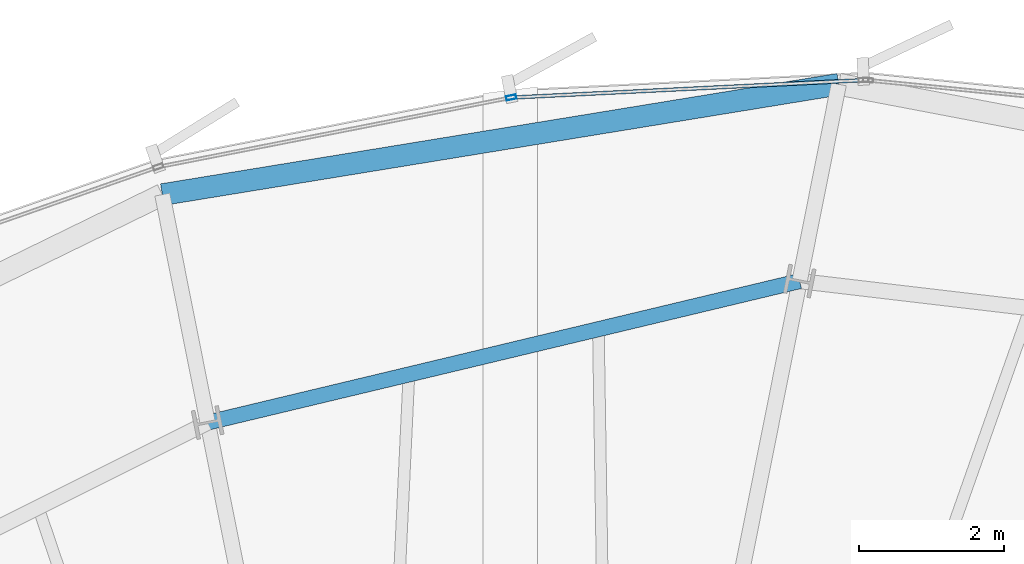
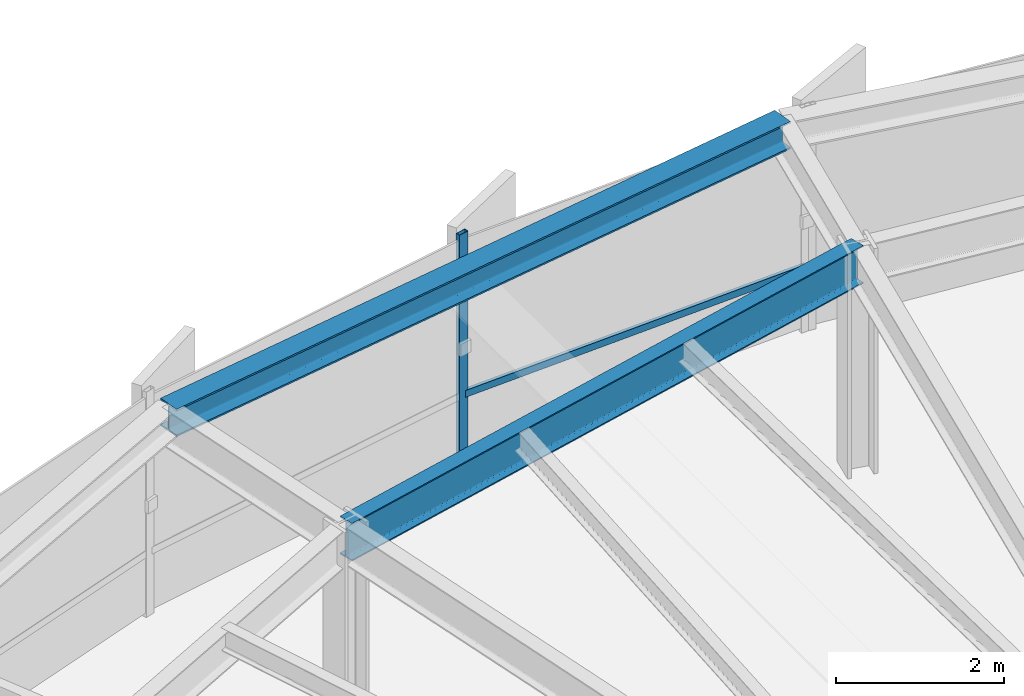
# One storey, part 21 of 34: 2 beams, 2 members, 1 element without a shape of its own.
"""IFC4 building model written with IfcOpenShell, lengths in metres."""

import ifcopenshell
import ifcopenshell.guid

model = None  # the IFC model being written
_history = None  # IfcOwnerHistory: only IFC2X3 demands one
_inside = {}  # id of a spatial element -> (the spatial element, [elements in it])
_under = {}  # id of a project, library or spatial element -> (it, [spatial elements below it])
_declared = {}  # id of a project -> (the project, [libraries it declares])
_typed = {}  # id of a type object -> (the type object, [elements of that type])
_made_of = {}  # id of a material, layer set ... -> (it, [elements and type objects made of it])


def new_model(schema):
    """Start an empty IFC model of exactly this schema.

    Asked for "IFC4X3", IfcOpenShell would pick the latest addendum, in which some entities
    have other attributes; the version numbers below select the first issue.
    IFC2X3 requires an IfcOwnerHistory on every rooted entity: one is made here for all.
    """
    global model, _history
    if schema == "IFC4X3":
        model = ifcopenshell.file(schema_version=(4, 3, 0, 0))
    else:
        model = ifcopenshell.file(schema=schema)
    _inside.clear()
    _under.clear()
    _declared.clear()
    _typed.clear()
    _made_of.clear()
    _history = None
    if model.schema == "IFC2X3":
        org = make("IfcOrganization", Name="unknown")
        user = make(
            "IfcPersonAndOrganization",
            ThePerson=make("IfcPerson", FamilyName="unknown"),
            TheOrganization=org,
        )
        app = make(
            "IfcApplication",
            ApplicationDeveloper=org,
            Version="unknown",
            ApplicationFullName="unknown",
            ApplicationIdentifier="unknown",
        )
        _history = make(
            "IfcOwnerHistory",
            OwningUser=user,
            OwningApplication=app,
            ChangeAction="ADDED",
            CreationDate=0,
        )
    return model


def make(cls, **values):
    """One entity of the class cls with the attributes given. An attribute that is None is left unset."""
    return model.create_entity(
        cls, **{name: value for name, value in values.items() if value is not None}
    )


def rooted(cls, **values):
    """An entity with a GlobalId (a new one), such as an element, a storey or a relation."""
    return make(cls, GlobalId=ifcopenshell.guid.new(), OwnerHistory=_history, **values)


def si_unit(unit_type, name, prefix=None):
    """IfcSIUnit, for example si_unit("LENGTHUNIT", "METRE", prefix="MILLI")."""
    return make("IfcSIUnit", UnitType=unit_type, Prefix=prefix, Name=name)


def assignment(units):
    """IfcUnitAssignment: the units of a project."""
    return None if units is None else make("IfcUnitAssignment", Units=units)


def point(xyz):
    """IfcCartesianPoint."""
    return None if xyz is None else make("IfcCartesianPoint", Coordinates=xyz)


def direction(xyz):
    """IfcDirection."""
    return None if xyz is None else make("IfcDirection", DirectionRatios=xyz)


def frame(location, z_axis=None, x_axis=None):
    """IfcAxis2Placement3D, a coordinate frame: its origin and axes. An axis left out is left unset."""
    return make(
        "IfcAxis2Placement3D",
        Location=point(location),
        Axis=direction(z_axis),
        RefDirection=direction(x_axis),
    )


def frame_2d(location, x_axis=None):
    """IfcAxis2Placement2D, a coordinate frame in the plane: its origin and x axis."""
    return make(
        "IfcAxis2Placement2D", Location=point(location), RefDirection=direction(x_axis)
    )


def origin():
    """The frame at (0, 0, 0) with its axes left unset."""
    return frame((0.0, 0.0, 0.0))


def origin_2d():
    """The frame at (0, 0) in the plane with its x axis left unset."""
    return frame_2d((0.0, 0.0))


def place(relative_to, where):
    """IfcLocalPlacement: puts the frame where relative to a parent placement (None: the world)."""
    return make(
        "IfcLocalPlacement", PlacementRelTo=relative_to, RelativePlacement=where
    )


def context(
    kind, dimensions, precision=None, world=None, true_north=None, identifier=None
):
    """IfcGeometricRepresentationContext, for example the 3D "Model" context."""
    return make(
        "IfcGeometricRepresentationContext",
        ContextIdentifier=identifier,
        ContextType=kind,
        CoordinateSpaceDimension=dimensions,
        Precision=precision,
        WorldCoordinateSystem=world,
        TrueNorth=true_north,
    )


def subcontext(parent, identifier, kind, view, scale=None):
    """IfcGeometricRepresentationSubContext, for example "Body" below "Model"."""
    return make(
        "IfcGeometricRepresentationSubContext",
        ContextIdentifier=identifier,
        ContextType=kind,
        ParentContext=parent,
        TargetScale=scale,
        TargetView=view,
    )


def project(units=None, contexts=None):
    """IfcProject with its units and contexts."""
    return rooted(
        "IfcProject",
        Name="project",
        RepresentationContexts=contexts,
        UnitsInContext=assignment(units),
    )


def spatial(cls, under=None, at=None, **own):
    """A site, building, storey or space (cls), placed at a placement, below another one or the project."""
    s = rooted(cls, ObjectPlacement=at, **own)
    if under is not None:
        _under.setdefault(under.id(), (under, []))[1].append(s)
    return s


def profile(cls, at=None, kind="AREA", **sizes):
    """A parametric profile (cls). Its sizes go by their IFC names, for example OverallWidth=200.0."""
    return make(cls, ProfileType=kind, Position=at, **sizes)


def hollow_rectangle(**sizes):
    """IfcRectangleHollowProfileDef."""
    return profile("IfcRectangleHollowProfileDef", **sizes)


def i_section(**sizes):
    """IfcIShapeProfileDef."""
    return profile("IfcIShapeProfileDef", **sizes)


def extrude(swept, where, along, depth):
    """IfcExtrudedAreaSolid: the profile swept, set in the frame where, extruded along a direction by depth."""
    return make(
        "IfcExtrudedAreaSolid",
        SweptArea=swept,
        Position=where,
        ExtrudedDirection=direction(along),
        Depth=depth,
    )


def shape(context_of_items, identifier, shape_type, items):
    """IfcShapeRepresentation: the items that make up one representation, for example the "Body"."""
    return make(
        "IfcShapeRepresentation",
        ContextOfItems=context_of_items,
        RepresentationIdentifier=identifier,
        RepresentationType=shape_type,
        Items=items,
    )


def source(mapping_origin, context_of_items, identifier, shape_type, items):
    """IfcRepresentationMap: a shape defined once, which mapped items show again and again."""
    return make(
        "IfcRepresentationMap",
        MappingOrigin=mapping_origin,
        MappedRepresentation=shape(context_of_items, identifier, shape_type, items),
    )


def transform(
    local_origin,
    x_axis=None,
    y_axis=None,
    z_axis=None,
    scale=None,
    scale2=None,
    scale3=None,
    uniform=True,
):
    """IfcCartesianTransformationOperator3D, or its non-uniform kind. x_axis, y_axis, z_axis: its Axis1, 2, 3."""
    if uniform:
        return make(
            "IfcCartesianTransformationOperator3D",
            Axis1=direction(x_axis),
            Axis2=direction(y_axis),
            LocalOrigin=point(local_origin),
            Scale=scale,
            Axis3=direction(z_axis),
        )
    return make(
        "IfcCartesianTransformationOperator3DnonUniform",
        Axis1=direction(x_axis),
        Axis2=direction(y_axis),
        LocalOrigin=point(local_origin),
        Scale=scale,
        Axis3=direction(z_axis),
        Scale2=scale2,
        Scale3=scale3,
    )


def mapped(mapping_source, mapping_target):
    """IfcMappedItem: shows the shape of a source again, moved by a transform."""
    return make(
        "IfcMappedItem", MappingSource=mapping_source, MappingTarget=mapping_target
    )


def material(Name=None, Category=None):
    """IfcMaterial."""
    return make("IfcMaterial", Name=Name, Category=Category)


def layer(
    of_material, thickness, ventilated=None, Name=None, Category=None, Priority=None
):
    """IfcMaterialLayer: one layer of a wall or slab, of a material (None: an air gap)."""
    return make(
        "IfcMaterialLayer",
        Material=of_material,
        LayerThickness=thickness,
        IsVentilated=ventilated,
        Name=Name,
        Category=Category,
        Priority=Priority,
    )


def layer_set(layers, Name=None):
    """IfcMaterialLayerSet."""
    return make("IfcMaterialLayerSet", MaterialLayers=layers, LayerSetName=Name)


def material_profile(
    of_material, cross_section, Name=None, Category=None, Priority=None
):
    """IfcMaterialProfile: a cross section and its material."""
    return make(
        "IfcMaterialProfile",
        Name=Name,
        Material=of_material,
        Profile=cross_section,
        Priority=Priority,
        Category=Category,
    )


def profile_set(profiles, Name=None, composite=None):
    """IfcMaterialProfileSet."""
    return make(
        "IfcMaterialProfileSet",
        Name=Name,
        MaterialProfiles=profiles,
        CompositeProfile=composite,
    )


def made_of(thing, what):
    """Note that an element or type object is made of a material, layer set ...; save() writes the relation."""
    if what is not None:
        _made_of.setdefault(what.id(), (what, []))[1].append(thing)
    return thing


def type_object(cls, material=None, **own):
    """A type object (cls), such as IfcWallType, which elements share."""
    return made_of(rooted(cls, **own), material)


def element(
    cls,
    number,
    at=None,
    inside=None,
    cuts=None,
    type_object=None,
    material=None,
    context=None,
    identifier="Body",
    shape_type=None,
    held_by="IfcProductDefinitionShape",
    body=None,
    shapes=None,
    **own,
):
    """One element of the class cls, such as IfcWall. Its Tag is "e" and its number.

    at: its placement. inside: the storey or other place that contains it. cuts: it is an
    opening in that element (IfcRelVoidsElement). A single representation is given by context,
    identifier, shape_type and body (its items); several are given by shapes. held_by: the class
    of the entity that holds the representations. save() writes the other relations.
    """
    e = rooted(cls, Tag="e%d" % number, ObjectPlacement=at, **own)
    if body is not None:
        shapes = [shape(context, identifier, shape_type, body)]
    if shapes is not None:
        e.Representation = make(held_by, Representations=shapes)
    if inside is not None:
        _inside.setdefault(inside.id(), (inside, []))[1].append(e)
    if cuts is not None:
        rooted(
            "IfcRelVoidsElement", RelatingBuildingElement=cuts, RelatedOpeningElement=e
        )
    if type_object is not None:
        _typed.setdefault(type_object.id(), (type_object, []))[1].append(e)
    return made_of(e, material)


def aggregate(whole, parts):
    """IfcRelAggregates: a whole, such as a stair, and the parts it consists of."""
    return rooted("IfcRelAggregates", RelatingObject=whole, RelatedObjects=parts)


def save(model, path):
    """Write the relations noted so far, then the file.

    IfcRelAggregates (storeys below a building ...), IfcRelContainedInSpatialStructure (elements
    in a storey), IfcRelDefinesByType, IfcRelAssociatesMaterial and IfcRelDeclares: one each for
    every whole, place, type object, material and project.
    """
    for whole, parts in _under.values():
        aggregate(whole, parts)
    for where, things in _inside.values():
        rooted(
            "IfcRelContainedInSpatialStructure",
            RelatedElements=things,
            RelatingStructure=where,
        )
    for kind, things in _typed.values():
        rooted("IfcRelDefinesByType", RelatedObjects=things, RelatingType=kind)
    for what, things in _made_of.values():
        rooted("IfcRelAssociatesMaterial", RelatedObjects=things, RelatingMaterial=what)
    for by, libraries in _declared.values():
        rooted("IfcRelDeclares", RelatingContext=by, RelatedDefinitions=libraries)
    model.write(path)


model = new_model("IFC4")

# Units and contexts
model_context = context("Model", 3, precision=1e-05, world=origin(), true_north=direction((0.0, 1.0)))
body_context = subcontext(model_context, "Body", "Model", "MODEL_VIEW")
ifc_project = project(units=[si_unit("LENGTHUNIT", "METRE"), si_unit("AREAUNIT", "SQUARE_METRE"), si_unit("VOLUMEUNIT", "CUBIC_METRE"), si_unit("PLANEANGLEUNIT", "RADIAN"), si_unit("MASSUNIT", "GRAM", prefix="KILO"), si_unit("THERMODYNAMICTEMPERATUREUNIT", "KELVIN")], contexts=[model_context])

# Site, building, storey
site_placement = place(None, origin())
site = spatial("IfcSite", under=ifc_project, at=site_placement, CompositionType="ELEMENT")
building_placement = place(site_placement, origin())
building = spatial("IfcBuilding", under=site, at=building_placement, Name="Kethvar Cultural Tower", CompositionType="ELEMENT")
storey_placement = place(building_placement, frame((0.0, 0.0, 128.800048828125)))
storey = spatial("IfcBuildingStorey", under=building, at=storey_placement, Name="L32", CompositionType="ELEMENT", Elevation=128.800048828125)

# Beams
ifc_material_1 = material(Name="Steel S355J2", Category="steel")
ifc_material_profile_1 = material_profile(ifc_material_1, i_section(OverallWidth=0.2099609375, OverallDepth=0.550048828125, WebThickness=0.010986328125, FlangeThickness=0.01708984375, FilletRadius=0.02392578125, at=origin_2d()), Name="Steel S355J2 — IPE550")
ifc_profile_set_1 = profile_set([ifc_material_profile_1], Name="Steel S355J2 — IPE550")
beam_type_1 = type_object("IfcBeamType", Name="BM-IPE550", PredefinedType="BEAM", material=ifc_profile_set_1)
shared_shape_1 = source(origin(), body_context, "Body", "SweptSolid", [
    extrude(i_section(OverallWidth=0.2099609375, OverallDepth=0.550048828125, WebThickness=0.010986328125, FlangeThickness=0.01708984375, FilletRadius=0.02392578125, at=origin_2d()), origin(), (0.0, 0.0, 1.0), 8.379150390625),
])
beam_1_placement = place(storey_placement, frame((51.068603515625, 49.25927734375, 3.02294921875), z_axis=(-0.972601380857, -0.232479147355, 0.0), x_axis=(0.232479147355, -0.972601380857, 0.0)))
element("IfcBeam", 1, at=beam_1_placement, inside=storey, type_object=beam_type_1, Name="L32 Column Ring Tie Beam CR-04", PredefinedType="BEAM", context=body_context, shape_type="MappedRepresentation", body=[
    mapped(shared_shape_1, transform((0.0, 0.0, 0.0), scale=1.0)),
])
ifc_material_profile_2 = material_profile(ifc_material_1, i_section(OverallWidth=0.300048828125, OverallDepth=0.39990234375, WebThickness=0.013427734375, FlangeThickness=0.02392578125, FilletRadius=0.027099609375, at=origin_2d()), Name="Steel S355J2 — HEB400")
ifc_profile_set_2 = profile_set([ifc_material_profile_2], Name="Steel S355J2 — HEB400")
beam_type_2 = type_object("IfcBeamType", Name="BM-SP400", PredefinedType="SPANDREL", material=ifc_profile_set_2)
shared_shape_2 = source(origin(), body_context, "Body", "SweptSolid", [
    extrude(i_section(OverallWidth=0.300048828125, OverallDepth=0.39990234375, WebThickness=0.013427734375, FlangeThickness=0.02392578125, FilletRadius=0.027099609375, at=origin_2d()), origin(), (0.0, 0.0, 1.0), 9.435791015625),
])
beam_2_placement = place(storey_placement, frame((51.607421875, 51.968505859375, 3.097900390625), z_axis=(-0.986960660875, -0.160961653462, 0.0), x_axis=(0.160961653462, -0.986960660875, 0.0)))
element("IfcBeam", 2, at=beam_2_placement, inside=storey, type_object=beam_type_2, Name="L32 Perimeter Spandrel Beam SP-04", PredefinedType="SPANDREL", context=body_context, shape_type="MappedRepresentation", body=[
    mapped(shared_shape_2, transform((0.0, 0.0, 0.0), scale=1.0)),
])

# Curtain wall, members
ifc_material_2 = material(Name="Aluminium 6063-T6", Category="aluminium")
ifc_layer = layer(ifc_material_2, 0.179931640625, Name="Aluminium 6063-T6", Category="aluminium")
ifc_layer_set = layer_set([ifc_layer], Name="Aluminium 6063-T6 (180 mm)")
curtain_wall_type = type_object("IfcCurtainWallType", Name="CW-SYS-04-Z34", PredefinedType="NOTDEFINED", material=ifc_layer_set)
curtain_wall_placement = place(storey_placement, origin())
curtain_wall = element("IfcCurtainWall", 3, at=curtain_wall_placement, inside=storey, type_object=curtain_wall_type, Name="L32 Curtain Wall Run 02", PredefinedType="NOTDEFINED")
ifc_material_profile_3 = material_profile(ifc_material_2, hollow_rectangle(XDim=0.06005859375, YDim=0.139892578125, WallThickness=0.0048828125, at=origin_2d()), Name="Aluminium 6063-T6 — RHS140x60x5")
ifc_profile_set_3 = profile_set([ifc_material_profile_3], Name="Aluminium 6063-T6 — RHS140x60x5")
member_type_1 = type_object("IfcMemberType", Name="CW-SYS-04-Z34-MUL", PredefinedType="MULLION", material=ifc_profile_set_3)
shared_shape_3 = source(origin(), body_context, "Body", "SweptSolid", [
    extrude(hollow_rectangle(XDim=0.06005859375, YDim=0.139892578125, WallThickness=0.0048828125, at=origin_2d()), origin(), (0.0, 0.0, 1.0), 3.300048828125),
])
member_1_placement = place(storey_placement, frame((47.0986328125, 51.7861328125, 0.0), z_axis=(0.0, 0.0, 1.0), x_axis=(0.192881616133, -0.981222035096, 0.0)))
member_1 = element("IfcMember", 4, at=member_1_placement, type_object=member_type_1, Name="CW-L32-R02 Mullion 2", PredefinedType="MULLION", context=body_context, shape_type="MappedRepresentation", body=[
    mapped(shared_shape_3, transform((0.0, 0.0, 0.0), scale=1.0)),
])
ifc_material_profile_4 = material_profile(ifc_material_2, hollow_rectangle(XDim=0.050048828125, YDim=0.10009765625, WallThickness=0.00390625, at=origin_2d()), Name="Aluminium 6063-T6 — RHS100x50x4")
ifc_profile_set_4 = profile_set([ifc_material_profile_4], Name="Aluminium 6063-T6 — RHS100x50x4")
member_type_2 = type_object("IfcMemberType", Name="CW-SYS-04-Z34-TRN", PredefinedType="USERDEFINED", material=ifc_profile_set_4)
shared_shape_4 = source(origin(), body_context, "Body", "SweptSolid", [
    extrude(hollow_rectangle(XDim=0.050048828125, YDim=0.10009765625, WallThickness=0.00390625, at=origin_2d()), origin(), (0.0, 0.0, 1.0), 4.8251953125),
])
member_2_placement = place(storey_placement, frame((51.9453125, 52.025390625, 0.949951171875), z_axis=(-0.998772445344, -0.049533851266, 0.0), x_axis=(0.049533851266, -0.998772445344, 0.0)))
member_2 = element("IfcMember", 5, at=member_2_placement, type_object=member_type_2, Name="CW-L32-R02 Transom 1", ObjectType="TRANSOM", PredefinedType="USERDEFINED", context=body_context, shape_type="MappedRepresentation", body=[
    mapped(shared_shape_4, transform((0.0, 0.0, 0.0), scale=1.0)),
])
aggregate(curtain_wall, [member_1, member_2])

save(model, "model.ifc")
